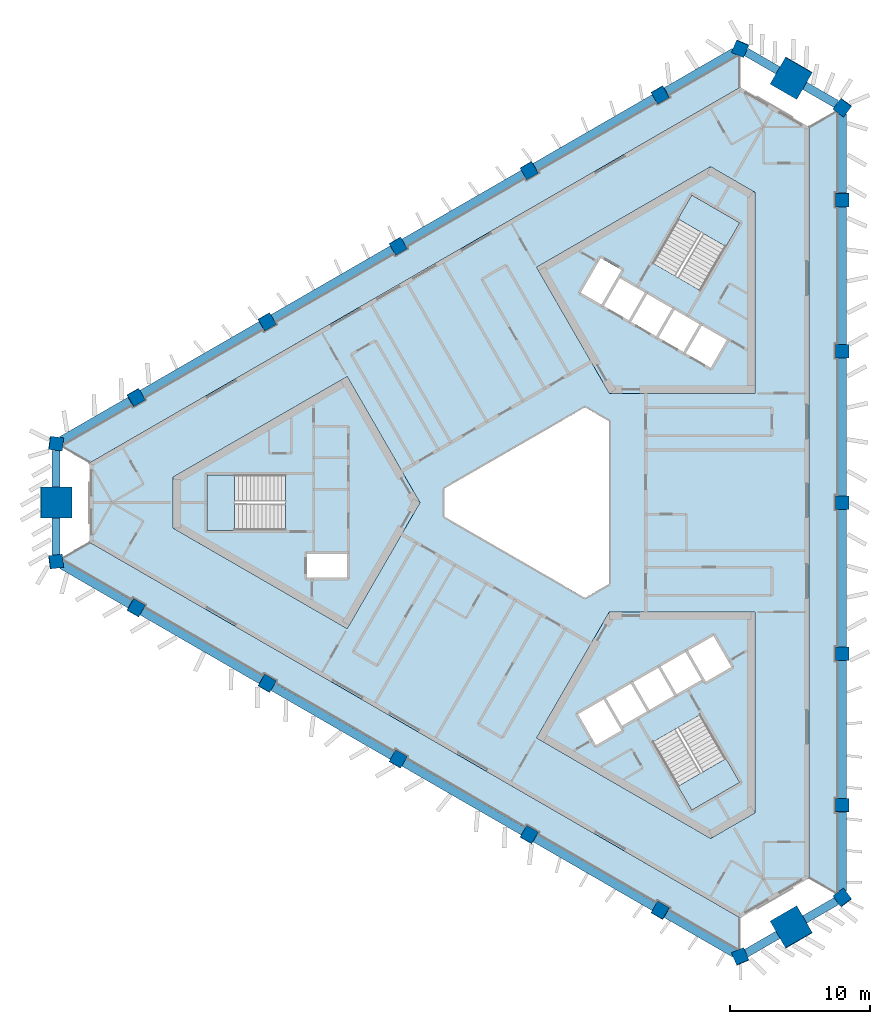
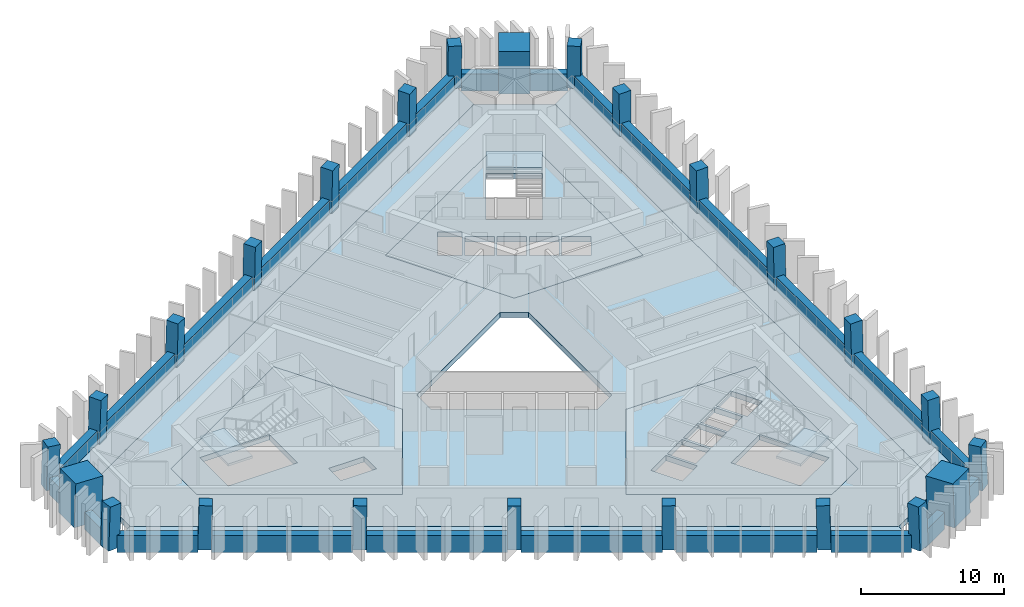
# One storey, part 1 of 10: 24 beams, 24 columns, 10 slabs, 3 elements without a shape of their own.
"""IFC4 building model written with IfcOpenShell, lengths in metres."""

from ifc_helpers import new_model, si_unit, direction, frame, origin, origin_2d, place, context, subcontext, project, spatial, polyline, rectangle, outline, extrude, material, layer, layer_set, material_profile, profile_set, type_object, element, aggregate, save


model = new_model("IFC4")

# Units and contexts
model_context = context("Model", 3, precision=1e-05, world=origin(), true_north=direction((0.0, 1.0)))
body_context = subcontext(model_context, "Body", "Model", "MODEL_VIEW")
ifc_project = project(units=[si_unit("LENGTHUNIT", "METRE"), si_unit("AREAUNIT", "SQUARE_METRE"), si_unit("VOLUMEUNIT", "CUBIC_METRE"), si_unit("PLANEANGLEUNIT", "RADIAN"), si_unit("MASSUNIT", "GRAM", prefix="KILO")], contexts=[model_context])

# Site, building, storey
site_placement = place(None, origin())
site = spatial("IfcSite", under=ifc_project, at=site_placement, CompositionType="ELEMENT")
building_placement = place(site_placement, origin())
building = spatial("IfcBuilding", under=site, at=building_placement, Name="Jabali Bay Hotel Tower and Convention Centre", CompositionType="ELEMENT")
storey_placement = place(building_placement, frame((0.0, 0.0, 174.800048828125)))
storey = spatial("IfcBuildingStorey", under=building, at=storey_placement, Name="L42", CompositionType="ELEMENT", Elevation=174.800048828125)

# Columns
ifc_material_1 = material(Name="Concrete C60", Category="concrete")
ifc_material_profile_1 = material_profile(ifc_material_1, rectangle(XDim=0.949951171875, YDim=0.949951171875, at=origin_2d()), Name="Frame column 950")
ifc_profile_set_1 = profile_set([ifc_material_profile_1], Name="Concrete C60")
column_type_1 = type_object("IfcColumnType", Name="Frame column 950", PredefinedType="COLUMN", material=ifc_profile_set_1)
column_1_placement = place(storey_placement, frame((83.135498046875, 109.092041015625, 0.0), z_axis=(-0.008376454378, -0.028163354484, 0.999568237028), x_axis=(0.86584908167, 0.499849974805, 0.021339410928)))
element("IfcColumn", 1, at=column_1_placement, inside=storey, type_object=column_type_1, Name="FC4 F1.1 L42", PredefinedType="COLUMN", context=body_context, shape_type="SweptSolid", body=[
    extrude(rectangle(XDim=0.949951171875, YDim=0.949951171875, at=origin_2d()), origin(), (0.0, 0.0, 1.0), 3.70166015625),
])
column_2_placement = place(storey_placement, frame((73.7861328125, 103.694091796875, 0.0), z_axis=(0.000857578916, -0.022824792675, 0.999739112668), x_axis=(0.866054303765, 0.499836094294, 0.010668728649)))
element("IfcColumn", 2, at=column_2_placement, inside=storey, type_object=column_type_1, Name="FC4 F1.2 L42", PredefinedType="COLUMN", context=body_context, shape_type="SweptSolid", body=[
    extrude(rectangle(XDim=0.949951171875, YDim=0.949951171875, at=origin_2d()), origin(), (0.0, 0.0, 1.0), 3.700927734375),
])
column_3_placement = place(storey_placement, frame((64.436767578125, 98.296142578125, 0.0), z_axis=(0.010093620709, -0.017482414954, 0.999796221231), x_axis=(-0.499902890187, 0.86584616669, 0.020187025825)))
element("IfcColumn", 3, at=column_3_placement, inside=storey, type_object=column_type_1, Name="FC4 F1.3 L42", PredefinedType="COLUMN", context=body_context, shape_type="SweptSolid", body=[
    extrude(rectangle(XDim=0.949951171875, YDim=0.949951171875, at=origin_2d()), origin(), (0.0, 0.0, 1.0), 3.70068359375),
])
column_4_placement = place(storey_placement, frame((55.087158203125, 92.898193359375, 0.0), z_axis=(0.019328516974, -0.012138044789, 0.999739504221), x_axis=(-0.500214302693, 0.865666432488, 0.020181155676)))
element("IfcColumn", 4, at=column_4_placement, inside=storey, type_object=column_type_1, Name="FC4 F1.4 L42", PredefinedType="COLUMN", context=body_context, shape_type="SweptSolid", body=[
    extrude(rectangle(XDim=0.949951171875, YDim=0.949951171875, at=origin_2d()), origin(), (0.0, 0.0, 1.0), 3.700927734375),
])
for number, where, z_axis, x_axis, name in (
    (5, (45.73779296875, 87.50048828125, 0.0), (0.028559101991, -0.006859460986, 0.999568569678), (-0.498515218099, 0.866645785643, 0.020190580742), "FC4 F1.5 L42"),
    (6, (45.73779296875, 72.49951171875, 0.0), (0.028559101991, 0.006859460986, 0.999568569678), (-0.866410384874, 0.498876768373, 0.021331079692), "FC4 F2.1 L42"),
):
    element("IfcColumn", number, at=place(storey_placement, frame(where, z_axis=z_axis, x_axis=x_axis)), inside=storey, type_object=column_type_1, Name=name, PredefinedType="COLUMN", context=body_context, shape_type="SweptSolid", body=[
        extrude(rectangle(XDim=0.949951171875, YDim=0.949951171875, at=origin_2d()), origin(), (0.0, 0.0, 1.0), 3.70166015625),
    ])
column_5_placement = place(storey_placement, frame((55.087158203125, 67.101806640625, 0.0), z_axis=(0.019328516974, 0.012138044789, 0.999739504221), x_axis=(-0.865685889808, 0.500474070789, 0.010660424724)))
element("IfcColumn", 7, at=column_5_placement, inside=storey, type_object=column_type_1, Name="FC4 F2.2 L42", PredefinedType="COLUMN", context=body_context, shape_type="SweptSolid", body=[
    extrude(rectangle(XDim=0.949951171875, YDim=0.949951171875, at=origin_2d()), origin(), (0.0, 0.0, 1.0), 3.700927734375),
])
column_6_placement = place(storey_placement, frame((64.436767578125, 61.703857421875, 0.0), z_axis=(0.010093620709, 0.017482414954, 0.999796221231), x_axis=(-0.866022643586, 0.500004780773, 1.3036e-08)))
element("IfcColumn", 8, at=column_6_placement, inside=storey, type_object=column_type_1, Name="FC4 F2.3 L42", PredefinedType="COLUMN", context=body_context, shape_type="SweptSolid", body=[
    extrude(rectangle(XDim=0.949951171875, YDim=0.949951171875, at=origin_2d()), origin(), (0.0, 0.0, 1.0), 3.70068359375),
])
column_7_placement = place(storey_placement, frame((73.7861328125, 56.305908203125, 0.0), z_axis=(0.000857578916, 0.022824792675, 0.999739112668), x_axis=(-0.499949204908, -0.865819211891, 0.020196158824)))
element("IfcColumn", 9, at=column_7_placement, inside=storey, type_object=column_type_1, Name="FC4 F2.4 L42", PredefinedType="COLUMN", context=body_context, shape_type="SweptSolid", body=[
    extrude(rectangle(XDim=0.949951171875, YDim=0.949951171875, at=origin_2d()), origin(), (0.0, 0.0, 1.0), 3.700927734375),
])
for number, where, z_axis, x_axis, name in (
    (10, (83.135498046875, 50.907958984375, 0.0), (-0.008376454378, 0.028163354484, 0.999568237028), (-0.500235147489, -0.8656539887, 0.020198244107), "FC4 F2.5 L42"),
    (11, (96.126708984375, 58.408447265625, 0.0), (-0.020182659751, 0.021303918626, 0.999569308901), (0.000228267203, -0.99977282903, 0.021312865295), "FC4 F0.1 L42"),
):
    element("IfcColumn", number, at=place(storey_placement, frame(where, z_axis=z_axis, x_axis=x_axis)), inside=storey, type_object=column_type_1, Name=name, PredefinedType="COLUMN", context=body_context, shape_type="SweptSolid", body=[
        extrude(rectangle(XDim=0.949951171875, YDim=0.949951171875, at=origin_2d()), origin(), (0.0, 0.0, 1.0), 3.70166015625),
    ])
column_8_placement = place(storey_placement, frame((96.126708984375, 69.2041015625, 0.0), z_axis=(-0.020186088539, 0.010686752756, 0.999739123544), x_axis=(-0.001012906877, -0.999942577175, 0.010668475618)))
element("IfcColumn", 12, at=column_8_placement, inside=storey, type_object=column_type_1, Name="FC4 F0.2 L42", PredefinedType="COLUMN", context=body_context, shape_type="SweptSolid", body=[
    extrude(rectangle(XDim=0.949951171875, YDim=0.949951171875, at=origin_2d()), origin(), (0.0, 0.0, 1.0), 3.700927734375),
])
column_9_placement = place(storey_placement, frame((96.126708984375, 80.0, 0.0), z_axis=(-0.020187241331, 0.0, 0.99979621688), x_axis=(0.0, -1.0, 0.0)))
element("IfcColumn", 13, at=column_9_placement, inside=storey, type_object=column_type_1, Name="FC4 F0.3 L42", PredefinedType="COLUMN", context=body_context, shape_type="SweptSolid", body=[
    extrude(rectangle(XDim=0.949951171875, YDim=0.949951171875, at=origin_2d()), origin(), (0.0, 0.0, 1.0), 3.70068359375),
])
column_10_placement = place(storey_placement, frame((96.126708984375, 90.7958984375, 0.0), z_axis=(-0.020186088539, -0.010686752756, 0.999739123544), x_axis=(0.999795727061, 0.00079728784, 0.020195754082)))
element("IfcColumn", 14, at=column_10_placement, inside=storey, type_object=column_type_1, Name="FC4 F0.4 L42", PredefinedType="COLUMN", context=body_context, shape_type="SweptSolid", body=[
    extrude(rectangle(XDim=0.949951171875, YDim=0.949951171875, at=origin_2d()), origin(), (0.0, 0.0, 1.0), 3.700927734375),
])
column_11_placement = place(storey_placement, frame((96.126708984375, 101.591552734375, 0.0), z_axis=(-0.020182659751, -0.021303918626, 0.999569308901), x_axis=(0.999796283319, -0.000658319199, 0.020173211851)))
element("IfcColumn", 15, at=column_11_placement, inside=storey, type_object=column_type_1, Name="FC4 F0.5 L42", PredefinedType="COLUMN", context=body_context, shape_type="SweptSolid", body=[
    extrude(rectangle(XDim=0.949951171875, YDim=0.949951171875, at=origin_2d()), origin(), (0.0, 0.0, 1.0), 3.70166015625),
])
for number, where, z_axis, x_axis, name in (
    (16, (96.126708984375, 51.817626953125, 0.0), (-0.020178741915, 0.029015184452, 0.999375273581), (-0.800246530668, -0.599669843985, 0.001252345297), "FC4 V0 L42"),
    (17, (96.126708984375, 108.182373046875, 0.0), (-0.020178741915, -0.029015184452, 0.999375273581), (0.599331551421, 0.799721324766, 0.03531988371), "FC4 V1 L42"),
    (18, (88.843505859375, 112.387451171875, 0.0), (-0.015035141917, -0.031982648376, 0.99937533225), (0.919484101267, -0.393125195815, 0.001252171238), "FC4 V2 L42"),
    (19, (40.030029296875, 84.205078125, 0.0), (0.03521388716, -0.002967462401, 0.999375393092), (-0.992244556635, 0.119178372048, 0.035316504123), "FC4 V3 L42"),
    (20, (40.030029296875, 75.794921875, 0.0), (0.03521388716, 0.002967462401, 0.999375393092), (-0.119208732811, 0.992868425222, 0.001252285331), "FC4 V4 L42"),
    (21, (88.843505859375, 47.612548828125, 0.0), (-0.015035141917, 0.031982648376, 0.99937533225), (0.392839575431, -0.918928555775, 0.035318229809), "FC4 V5 L42"),
):
    element("IfcColumn", number, at=place(storey_placement, frame(where, z_axis=z_axis, x_axis=x_axis)), inside=storey, type_object=column_type_1, Name=name, PredefinedType="COLUMN", context=body_context, shape_type="SweptSolid", body=[
        extrude(rectangle(XDim=0.949951171875, YDim=0.949951171875, at=origin_2d()), origin(), (0.0, 0.0, 1.0), 3.7021484375),
    ])
ifc_material_2 = material(Name="Concrete C70", Category="concrete")
ifc_material_profile_2 = material_profile(ifc_material_2, rectangle(XDim=2.199951171875, YDim=2.199951171875, at=origin_2d()), Name="Mega column 2200")
ifc_profile_set_2 = profile_set([ifc_material_profile_2], Name="Concrete C70")
column_type_2 = type_object("IfcColumnType", Name="Mega column 2200", PredefinedType="COLUMN", material=ifc_profile_set_2)
for number, where, z_axis, x_axis, name in (
    (22, (92.485107421875, 110.284912109375, 0.0), (-0.017607037296, -0.030466109479, 0.999380712447), (0.86581098392, -0.500371202332, 2.457e-09), "MC4 M1 L42"),
    (23, (40.030029296875, 80.0, 0.0), (0.035214042205, 0.0, 0.999379793288), (0.0, 1.0, 0.0), "MC4 M0 L42"),
    (24, (92.485107421875, 49.715087890625, 0.0), (-0.017607037296, 0.030466109479, 0.999380712447), (0.500061328599, -0.865274797998, 0.035187946645), "MC4 M2 L42"),
):
    element("IfcColumn", number, at=place(storey_placement, frame(where, z_axis=z_axis, x_axis=x_axis)), inside=storey, type_object=column_type_2, Name=name, PredefinedType="COLUMN", context=body_context, shape_type="SweptSolid", body=[
        extrude(rectangle(XDim=2.199951171875, YDim=2.199951171875, at=origin_2d()), origin(), (0.0, 0.0, 1.0), 3.7021484375),
    ])

# Beams
ifc_material_profile_3 = material_profile(ifc_material_1, rectangle(XDim=0.60009765625, YDim=1.449951171875, at=origin_2d()), Name="Spandrel 600x1450")
ifc_profile_set_3 = profile_set([ifc_material_profile_3], Name="Concrete C60")
beam_type = type_object("IfcBeamType", Name="Spandrel 600x1450", PredefinedType="SPANDREL", material=ifc_profile_set_3)
beam_1_placement = place(storey_placement, frame((91.52587890625, 110.823486328125, 0.375), z_axis=(-0.866040225545, 0.499974327079, 0.0), x_axis=(-0.499974327079, -0.866040225545, 0.0)))
element("IfcBeam", 25, at=beam_1_placement, inside=storey, type_object=beam_type, Name="Spandrel M1-V2 L42", PredefinedType="SPANDREL", context=body_context, shape_type="SweptSolid", body=[
    extrude(rectangle(XDim=0.60009765625, YDim=1.449951171875, at=origin_2d()), origin(), (0.0, 0.0, 1.0), 2.629150390625),
])
beam_2_placement = place(storey_placement, frame((88.42626953125, 112.137939453125, 0.375), z_axis=(-0.86601467881, -0.50001857574, 0.0), x_axis=(0.50001857574, -0.86601467881, 0.0)))
element("IfcBeam", 26, at=beam_2_placement, inside=storey, type_object=beam_type, Name="Spandrel V2-F1.1 L42", PredefinedType="SPANDREL", context=body_context, shape_type="SweptSolid", body=[
    extrude(rectangle(XDim=0.60009765625, YDim=1.449951171875, at=origin_2d()), origin(), (0.0, 0.0, 1.0), 5.637939453125),
])
for number, where, z_axis, x_axis, name in (
    (27, (82.720947265625, 108.843994140625, 0.375), (-0.866024063744, -0.500002321011, 0.0), (0.500002321011, -0.866024063744, 0.0), "Spandrel F1.1-F1.2 L42"),
    (28, (73.375, 103.447998046875, 0.375), (-0.866024063744, -0.500002321011, 0.0), (0.500002321011, -0.866024063744, 0.0), "Spandrel F1.2-F1.3 L42"),
    (29, (64.029052734375, 98.05224609375, 0.375), (-0.866024063744, -0.500002321011, 0.0), (0.500002321011, -0.866024063744, 0.0), "Spandrel F1.3-F1.4 L42"),
    (30, (54.68310546875, 92.65625, 0.375), (-0.866024063744, -0.500002321011, 0.0), (0.500002321011, -0.866024063744, 0.0), "Spandrel F1.4-F1.5 L42"),
):
    element("IfcBeam", number, at=place(storey_placement, frame(where, z_axis=z_axis, x_axis=x_axis)), inside=storey, type_object=beam_type, Name=name, PredefinedType="SPANDREL", context=body_context, shape_type="SweptSolid", body=[
        extrude(rectangle(XDim=0.60009765625, YDim=1.449951171875, at=origin_2d()), origin(), (0.0, 0.0, 1.0), 9.841796875),
    ])
beam_3_placement = place(storey_placement, frame((45.337158203125, 87.26025390625, 0.375), z_axis=(-0.866033429777, -0.499986098315, 0.0), x_axis=(0.499986098315, -0.866033429777, 0.0)))
element("IfcBeam", 31, at=beam_3_placement, inside=storey, type_object=beam_type, Name="Spandrel F1.5-V3 L42", PredefinedType="SPANDREL", context=body_context, shape_type="SweptSolid", body=[
    extrude(rectangle(XDim=0.60009765625, YDim=1.449951171875, at=origin_2d()), origin(), (0.0, 0.0, 1.0), 5.637939453125),
])
for number, where, z_axis, x_axis, name in (
    (32, (40.043212890625, 83.728759765625, 0.375), (0.0, -1.0, 0.0), (1.0, 0.0, 0.0), "Spandrel V3-M0 L42"),
    (33, (40.043212890625, 78.89990234375, 0.375), (0.0, -1.0, 0.0), (1.0, 0.0, 0.0), "Spandrel M0-V4 L42"),
):
    element("IfcBeam", number, at=place(storey_placement, frame(where, z_axis=z_axis, x_axis=x_axis)), inside=storey, type_object=beam_type, Name=name, PredefinedType="SPANDREL", context=body_context, shape_type="SweptSolid", body=[
        extrude(rectangle(XDim=0.60009765625, YDim=1.449951171875, at=origin_2d()), origin(), (0.0, 0.0, 1.0), 2.628662109375),
    ])
beam_4_placement = place(storey_placement, frame((40.45458984375, 75.55859375, 0.375), z_axis=(0.866033429777, -0.499986098315, 0.0), x_axis=(0.499986098315, 0.866033429777, 0.0)))
element("IfcBeam", 34, at=beam_4_placement, inside=storey, type_object=beam_type, Name="Spandrel V4-F2.1 L42", PredefinedType="SPANDREL", context=body_context, shape_type="SweptSolid", body=[
    extrude(rectangle(XDim=0.60009765625, YDim=1.449951171875, at=origin_2d()), origin(), (0.0, 0.0, 1.0), 5.637939453125),
])
for number, where, z_axis, x_axis, name in (
    (35, (46.159912109375, 72.2646484375, 0.375), (0.866024063744, -0.500002321011, 0.0), (0.500002321011, 0.866024063744, 0.0), "Spandrel F2.1-F2.2 L42"),
    (36, (55.505859375, 66.86865234375, 0.375), (0.866024063744, -0.500002321011, 0.0), (0.500002321011, 0.866024063744, 0.0), "Spandrel F2.2-F2.3 L42"),
    (37, (64.851806640625, 61.472900390625, 0.375), (0.866024063744, -0.500002321011, 0.0), (0.500002321011, 0.866024063744, 0.0), "Spandrel F2.3-F2.4 L42"),
    (38, (74.19775390625, 56.076904296875, 0.375), (0.866024063744, -0.500002321011, 0.0), (0.500002321011, 0.866024063744, 0.0), "Spandrel F2.4-F2.5 L42"),
):
    element("IfcBeam", number, at=place(storey_placement, frame(where, z_axis=z_axis, x_axis=x_axis)), inside=storey, type_object=beam_type, Name=name, PredefinedType="SPANDREL", context=body_context, shape_type="SweptSolid", body=[
        extrude(rectangle(XDim=0.60009765625, YDim=1.449951171875, at=origin_2d()), origin(), (0.0, 0.0, 1.0), 9.841796875),
    ])
beam_5_placement = place(storey_placement, frame((83.543701171875, 50.68115234375, 0.375), z_axis=(0.86601467881, -0.50001857574, 0.0), x_axis=(0.50001857574, 0.86601467881, 0.0)))
element("IfcBeam", 39, at=beam_5_placement, inside=storey, type_object=beam_type, Name="Spandrel F2.5-V5 L42", PredefinedType="SPANDREL", context=body_context, shape_type="SweptSolid", body=[
    extrude(rectangle(XDim=0.60009765625, YDim=1.449951171875, at=origin_2d()), origin(), (0.0, 0.0, 1.0), 5.637939453125),
])
beam_6_placement = place(storey_placement, frame((89.2490234375, 47.862060546875, 0.375), z_axis=(0.866040225545, 0.499974327079, 0.0), x_axis=(-0.499974327079, 0.866040225545, 0.0)))
element("IfcBeam", 40, at=beam_6_placement, inside=storey, type_object=beam_type, Name="Spandrel V5-M2 L42", PredefinedType="SPANDREL", context=body_context, shape_type="SweptSolid", body=[
    extrude(rectangle(XDim=0.60009765625, YDim=1.449951171875, at=origin_2d()), origin(), (0.0, 0.0, 1.0), 2.629150390625),
])
beam_7_placement = place(storey_placement, frame((93.43115234375, 50.276611328125, 0.375), z_axis=(0.866017009382, 0.50001453925, 0.0), x_axis=(-0.50001453925, 0.866017009382, 0.0)))
element("IfcBeam", 41, at=beam_7_placement, inside=storey, type_object=beam_type, Name="Spandrel M2-V0 L42", PredefinedType="SPANDREL", context=body_context, shape_type="SweptSolid", body=[
    extrude(rectangle(XDim=0.60009765625, YDim=1.449951171875, at=origin_2d()), origin(), (0.0, 0.0, 1.0), 2.62890625),
])
beam_8_placement = place(storey_placement, frame((96.119140625, 52.303466796875, 0.375), z_axis=(0.0, 1.0, 0.0), x_axis=(-1.0, 0.0, 0.0)))
element("IfcBeam", 42, at=beam_8_placement, inside=storey, type_object=beam_type, Name="Spandrel V0-F0.1 L42", PredefinedType="SPANDREL", context=body_context, shape_type="SweptSolid", body=[
    extrude(rectangle(XDim=0.60009765625, YDim=1.449951171875, at=origin_2d()), origin(), (0.0, 0.0, 1.0), 5.637939453125),
])
for number, where, z_axis, x_axis, name in (
    (43, (96.119140625, 58.891357421875, 0.375), (0.0, 1.0, 0.0), (-1.0, 0.0, 0.0), "Spandrel F0.1-F0.2 L42"),
    (44, (96.119140625, 69.68310546875, 0.375), (0.0, 1.0, 0.0), (-1.0, 0.0, 0.0), "Spandrel F0.2-F0.3 L42"),
    (45, (96.119140625, 80.47509765625, 0.375), (0.0, 1.0, 0.0), (-1.0, 0.0, 0.0), "Spandrel F0.3-F0.4 L42"),
    (46, (96.119140625, 91.266845703125, 0.375), (0.0, 1.0, 0.0), (-1.0, 0.0, 0.0), "Spandrel F0.4-F0.5 L42"),
):
    element("IfcBeam", number, at=place(storey_placement, frame(where, z_axis=z_axis, x_axis=x_axis)), inside=storey, type_object=beam_type, Name=name, PredefinedType="SPANDREL", context=body_context, shape_type="SweptSolid", body=[
        extrude(rectangle(XDim=0.60009765625, YDim=1.449951171875, at=origin_2d()), origin(), (0.0, 0.0, 1.0), 9.841796875),
    ])
beam_9_placement = place(storey_placement, frame((96.119140625, 102.05859375, 0.375), z_axis=(0.0, 1.0, 0.0), x_axis=(-1.0, 0.0, 0.0)))
element("IfcBeam", 47, at=beam_9_placement, inside=storey, type_object=beam_type, Name="Spandrel F0.5-V1 L42", PredefinedType="SPANDREL", context=body_context, shape_type="SweptSolid", body=[
    extrude(rectangle(XDim=0.60009765625, YDim=1.449951171875, at=origin_2d()), origin(), (0.0, 0.0, 1.0), 5.637939453125),
])
beam_10_placement = place(storey_placement, frame((95.707763671875, 108.408935546875, 0.375), z_axis=(-0.866017009382, 0.50001453925, 0.0), x_axis=(-0.50001453925, -0.866017009382, 0.0)))
element("IfcBeam", 48, at=beam_10_placement, inside=storey, type_object=beam_type, Name="Spandrel V1-M1 L42", PredefinedType="SPANDREL", context=body_context, shape_type="SweptSolid", body=[
    extrude(rectangle(XDim=0.60009765625, YDim=1.449951171875, at=origin_2d()), origin(), (0.0, 0.0, 1.0), 2.62890625),
])

# Slabs
ifc_material_3 = material(Name="Concrete C40", Category="concrete")
ifc_layer_1 = layer(ifc_material_3, 0.449951171875)
ifc_layer_set_1 = layer_set([ifc_layer_1], Name="Concrete C40")
slab_type_1 = type_object("IfcSlabType", Name="Core floor slab 450", PredefinedType="FLOOR", material=ifc_layer_set_1)
slab_1_placement = place(storey_placement, frame((0.0, 0.0, -0.449951171875)))
element("IfcSlab", 49, at=slab_1_placement, inside=storey, type_object=slab_type_1, Name="Core floor slab 1 L42", PredefinedType="FLOOR", context=body_context, shape_type="SweptSolid", body=[
    extrude(outline(polyline([(66.0, 80.0), (60.81005859375, 88.9892578125), (48.39697265625, 81.82275390625), (48.39697265625, 78.17724609375), (60.81005859375, 71.0107421875), (66.0, 80.0)]), holes=[polyline([(60.800048828125, 76.35009765625), (57.949951171875, 76.35009765625), (57.949951171875, 74.64990234375), (60.800048828125, 74.64990234375), (60.800048828125, 76.35009765625)]), polyline([(50.820068359375, 81.97509765625), (50.820068359375, 78.02490234375), (56.409912109375, 78.02490234375), (56.409912109375, 81.97509765625), (50.820068359375, 81.97509765625)])]), origin(), (0.0, 0.0, 1.0), 0.449951171875),
])
slab_2_placement = place(storey_placement, frame((0.0, 0.0, -0.449951171875)))
element("IfcSlab", 50, at=slab_2_placement, inside=storey, type_object=slab_type_1, Name="Core floor slab 2 L42", PredefinedType="FLOOR", context=body_context, shape_type="SweptSolid", body=[
    extrude(outline(polyline([(79.5, 87.794189453125), (89.8798828125, 87.794189453125), (89.8798828125, 102.127685546875), (86.72314453125, 103.9501953125), (74.31005859375, 96.78369140625), (79.5, 87.794189453125)]), holes=[polyline([(84.957763671875, 90.6474609375), (86.733154296875, 89.62255859375), (87.873291015625, 91.59716796875), (86.097900390625, 92.6220703125), (84.957763671875, 90.6474609375)]), polyline([(84.1494140625, 93.7470703125), (83.00927734375, 91.7724609375), (84.78466796875, 90.74755859375), (85.924560546875, 92.72216796875), (84.1494140625, 93.7470703125)]), polyline([(82.20068359375, 94.8720703125), (81.060791015625, 92.8974609375), (82.836181640625, 91.87255859375), (83.97607421875, 93.84716796875), (82.20068359375, 94.8720703125)]), polyline([(79.1123046875, 94.0224609375), (80.887451171875, 92.99755859375), (82.027587890625, 94.97216796875), (80.252197265625, 95.9970703125), (79.1123046875, 94.0224609375)]), polyline([(78.891845703125, 97.440673828125), (77.466796875, 94.97265625), (78.93896484375, 94.12255859375), (80.364013671875, 96.5908203125), (78.891845703125, 97.440673828125)]), polyline([(82.584716796875, 97.0869140625), (86.00537109375, 95.11181640625), (88.80029296875, 99.952880859375), (85.379638671875, 101.927978515625), (82.584716796875, 97.0869140625)])]), origin(), (0.0, 0.0, 1.0), 0.449951171875),
])
slab_3_placement = place(storey_placement, frame((0.0, 0.0, -0.449951171875)))
element("IfcSlab", 51, at=slab_3_placement, inside=storey, type_object=slab_type_1, Name="Core floor slab 3 L42", PredefinedType="FLOOR", context=body_context, shape_type="SweptSolid", body=[
    extrude(outline(polyline([(79.5, 72.205810546875), (74.31005859375, 63.21630859375), (86.72314453125, 56.0498046875), (89.8798828125, 57.872314453125), (89.8798828125, 72.205810546875), (79.5, 72.205810546875)]), holes=[polyline([(82.584716796875, 62.9130859375), (85.379638671875, 58.072021484375), (88.80029296875, 60.047119140625), (86.00537109375, 64.88818359375), (82.584716796875, 62.9130859375)]), polyline([(80.365478515625, 63.756591796875), (79.090576171875, 65.96484375), (77.27197265625, 64.9150390625), (78.546875, 62.70654296875), (80.365478515625, 63.756591796875)]), polyline([(82.17919921875, 65.115478515625), (81.0390625, 67.08984375), (79.263671875, 66.06494140625), (80.40380859375, 64.09033203125), (82.17919921875, 65.115478515625)]), polyline([(82.98779296875, 68.21484375), (81.21240234375, 67.18994140625), (82.352294921875, 65.21533203125), (84.127685546875, 66.240478515625), (82.98779296875, 68.21484375)]), polyline([(86.076171875, 67.365478515625), (84.936279296875, 69.33984375), (83.160888671875, 68.31494140625), (84.30078125, 66.34033203125), (86.076171875, 67.365478515625)]), polyline([(88.203125, 68.281494140625), (86.927978515625, 70.489990234375), (85.109375, 69.43994140625), (86.384521484375, 67.231689453125), (88.203125, 68.281494140625)])]), origin(), (0.0, 0.0, 1.0), 0.449951171875),
])
ifc_layer_2 = layer(ifc_material_3, 0.199951171875)
ifc_layer_set_2 = layer_set([ifc_layer_2], Name="Concrete C40")
slab_type_2 = type_object("IfcSlabType", Name="Loggia slab 200", PredefinedType="FLOOR", material=ifc_layer_set_2)
slab_4_placement = place(storey_placement, frame((0.0, 0.0, -0.199951171875)))
element("IfcSlab", 52, at=slab_4_placement, inside=storey, type_object=slab_type_2, Name="Loggia slab east face L42", PredefinedType="FLOOR", context=body_context, shape_type="SweptSolid", body=[
    extrude(outline(polyline([(93.7265625, 106.796875), (95.67919921875, 107.924072265625), (95.82666015625, 107.813720703125), (95.82666015625, 102.066650390625), (95.651611328125, 102.066650390625), (95.651611328125, 101.11669921875), (95.82666015625, 101.11669921875), (95.82666015625, 91.270751953125), (95.651611328125, 91.270751953125), (95.651611328125, 90.32080078125), (95.82666015625, 90.32080078125), (95.82666015625, 80.47509765625), (95.651611328125, 80.47509765625), (95.651611328125, 79.52490234375), (95.82666015625, 79.52490234375), (95.82666015625, 69.67919921875), (95.651611328125, 69.67919921875), (95.651611328125, 68.729248046875), (95.82666015625, 68.729248046875), (95.82666015625, 58.88330078125), (95.651611328125, 58.88330078125), (95.651611328125, 57.933349609375), (95.82666015625, 57.933349609375), (95.82666015625, 52.186279296875), (95.67919921875, 52.075927734375), (93.7265625, 53.203125), (93.7265625, 106.796875)])), origin(), (0.0, 0.0, 1.0), 0.199951171875),
])
slab_5_placement = place(storey_placement, frame((0.0, 0.0, -0.199951171875)))
element("IfcSlab", 53, at=slab_5_placement, inside=storey, type_object=slab_type_2, Name="Loggia slab north-west face L42", PredefinedType="FLOOR", context=body_context, shape_type="SweptSolid", body=[
    extrude(outline(polyline([(42.429931640625, 82.8193359375), (40.477294921875, 83.94677734375), (40.499267578125, 84.129638671875), (45.476318359375, 87.003173828125), (45.56396484375, 86.8515625), (46.38671875, 87.326416015625), (46.299072265625, 87.47802734375), (54.825927734375, 92.40087890625), (54.913330078125, 92.24951171875), (55.736083984375, 92.724365234375), (55.648681640625, 92.8759765625), (64.17529296875, 97.798828125), (64.2626953125, 97.6474609375), (65.08544921875, 98.122314453125), (64.998046875, 98.27392578125), (73.524658203125, 103.19677734375), (73.6123046875, 103.045166015625), (74.43505859375, 103.520263671875), (74.347412109375, 103.671875), (82.874267578125, 108.5947265625), (82.961669921875, 108.443115234375), (83.784423828125, 108.918212890625), (83.697021484375, 109.06982421875), (88.674072265625, 111.943359375), (88.843505859375, 111.870849609375), (88.843505859375, 109.6162109375), (42.429931640625, 82.8193359375)])), origin(), (0.0, 0.0, 1.0), 0.199951171875),
])
slab_6_placement = place(storey_placement, frame((0.0, 0.0, -0.199951171875)))
element("IfcSlab", 54, at=slab_6_placement, inside=storey, type_object=slab_type_2, Name="Loggia slab south-west face L42", PredefinedType="FLOOR", context=body_context, shape_type="SweptSolid", body=[
    extrude(outline(polyline([(88.843505859375, 50.3837890625), (88.843505859375, 48.129150390625), (88.674072265625, 48.056640625), (83.697021484375, 50.93017578125), (83.784423828125, 51.081787109375), (82.961669921875, 51.556884765625), (82.874267578125, 51.4052734375), (74.347412109375, 56.328125), (74.43505859375, 56.479736328125), (73.6123046875, 56.954833984375), (73.524658203125, 56.80322265625), (64.998046875, 61.72607421875), (65.08544921875, 61.877685546875), (64.2626953125, 62.3525390625), (64.17529296875, 62.201171875), (55.648681640625, 67.1240234375), (55.736083984375, 67.275634765625), (54.913330078125, 67.75048828125), (54.825927734375, 67.59912109375), (46.299072265625, 72.52197265625), (46.38671875, 72.673583984375), (45.56396484375, 73.1484375), (45.476318359375, 72.996826171875), (40.499267578125, 75.870361328125), (40.477294921875, 76.05322265625), (42.429931640625, 77.1806640625), (88.843505859375, 50.3837890625)])), origin(), (0.0, 0.0, 1.0), 0.199951171875),
])
ifc_layer_3 = layer(ifc_material_3, 0.449951171875)
ifc_layer_set_3 = layer_set([ifc_layer_3], Name="Concrete C40")
slab_type_3 = type_object("IfcSlabType", Name="Post-tensioned flat slab 450", PredefinedType="FLOOR", material=ifc_layer_set_3)
slab_7_placement = place(storey_placement, frame((0.0, 0.0, -0.449951171875)))
element("IfcSlab", 55, at=slab_7_placement, inside=storey, type_object=slab_type_3, Name="Floor slab L42", PredefinedType="FLOOR", context=body_context, shape_type="SweptSolid", body=[
    extrude(outline(polyline([(88.843505859375, 109.6162109375), (93.7265625, 106.796875), (93.7265625, 53.203125), (88.843505859375, 50.3837890625), (42.429931640625, 77.1806640625), (42.429931640625, 82.8193359375), (88.843505859375, 109.6162109375)]), holes=[polyline([(67.73193359375, 79.0), (77.76806640625, 73.205810546875), (79.5, 74.205810546875), (79.5, 85.794189453125), (77.76806640625, 86.794189453125), (67.73193359375, 81.0), (67.73193359375, 79.0)]), polyline([(48.39697265625, 78.17724609375), (60.81005859375, 71.0107421875), (66.0, 80.0), (60.81005859375, 88.9892578125), (48.39697265625, 81.82275390625), (48.39697265625, 78.17724609375)]), polyline([(89.8798828125, 102.127685546875), (86.72314453125, 103.9501953125), (74.31005859375, 96.78369140625), (79.5, 87.794189453125), (89.8798828125, 87.794189453125), (89.8798828125, 102.127685546875)]), polyline([(74.31005859375, 63.21630859375), (86.72314453125, 56.0498046875), (89.8798828125, 57.872314453125), (89.8798828125, 72.205810546875), (79.5, 72.205810546875), (74.31005859375, 63.21630859375)])]), origin(), (0.0, 0.0, 1.0), 0.449951171875),
])

# Stair, slab
stair_type = type_object("IfcStairType", Name="Exit stair 1900", PredefinedType="HALF_TURN_STAIR", material=ifc_material_3)
stair_1_placement = place(storey_placement, origin())
stair_1 = element("IfcStair", 56, at=stair_1_placement, inside=storey, type_object=stair_type, Name="L42 Exit Stair 1", PredefinedType="HALF_TURN_STAIR")
ifc_layer_4 = layer(ifc_material_3, 0.199951171875)
ifc_layer_set_4 = layer_set([ifc_layer_4], Name="Concrete C40")
slab_type_4 = type_object("IfcSlabType", Name="Stair landing 200", PredefinedType="LANDING", material=ifc_layer_set_4)
slab_8_placement = place(storey_placement, frame((0.0, 0.0, 1.64990234375)))
slab_8 = element("IfcSlab", 57, at=slab_8_placement, type_object=slab_type_4, Name="ST1 landing 1", PredefinedType="LANDING", context=body_context, shape_type="SweptSolid", body=[
    extrude(outline(polyline([(52.782958984375, 81.97509765625), (50.820068359375, 81.97509765625), (50.820068359375, 78.02490234375), (52.782958984375, 78.02490234375), (52.782958984375, 81.97509765625)])), origin(), (0.0, 0.0, 1.0), 0.199951171875),
])
aggregate(stair_1, [slab_8])

stair_2_placement = place(storey_placement, origin())
stair_2 = element("IfcStair", 58, at=stair_2_placement, inside=storey, type_object=stair_type, Name="L42 Exit Stair 2", PredefinedType="HALF_TURN_STAIR")
slab_9_placement = place(storey_placement, frame((0.0, 0.0, 1.64990234375)))
slab_9 = element("IfcSlab", 59, at=slab_9_placement, type_object=slab_type_4, Name="ST2 landing 1", PredefinedType="LANDING", context=body_context, shape_type="SweptSolid", body=[
    extrude(outline(polyline([(87.81884765625, 98.2529296875), (88.80029296875, 99.952880859375), (85.379638671875, 101.927978515625), (84.398193359375, 100.22802734375), (87.81884765625, 98.2529296875)])), origin(), (0.0, 0.0, 1.0), 0.199951171875),
])
aggregate(stair_2, [slab_9])

stair_3_placement = place(storey_placement, origin())
stair_3 = element("IfcStair", 60, at=stair_3_placement, inside=storey, type_object=stair_type, Name="L42 Exit Stair 3", PredefinedType="HALF_TURN_STAIR")
slab_10_placement = place(storey_placement, frame((0.0, 0.0, 1.64990234375)))
slab_10 = element("IfcSlab", 61, at=slab_10_placement, type_object=slab_type_4, Name="ST3 landing 1", PredefinedType="LANDING", context=body_context, shape_type="SweptSolid", body=[
    extrude(outline(polyline([(84.398193359375, 59.77197265625), (85.379638671875, 58.072021484375), (88.80029296875, 60.047119140625), (87.81884765625, 61.7470703125), (84.398193359375, 59.77197265625)])), origin(), (0.0, 0.0, 1.0), 0.199951171875),
])
aggregate(stair_3, [slab_10])

save(model, "model.ifc")
